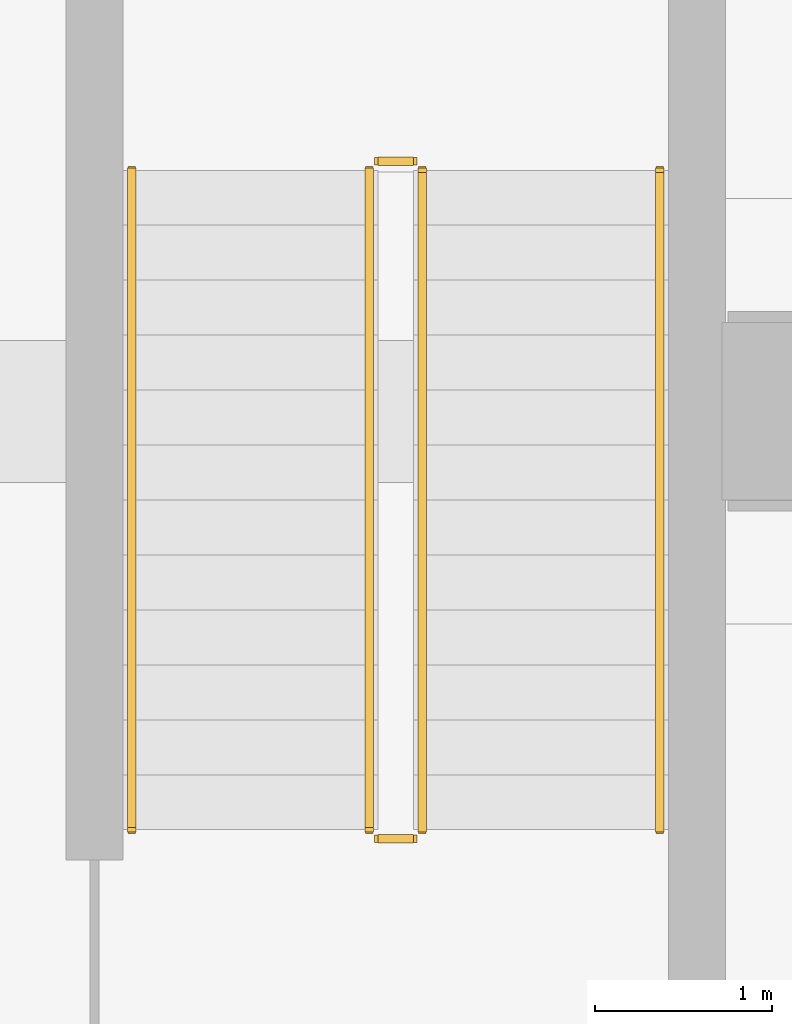
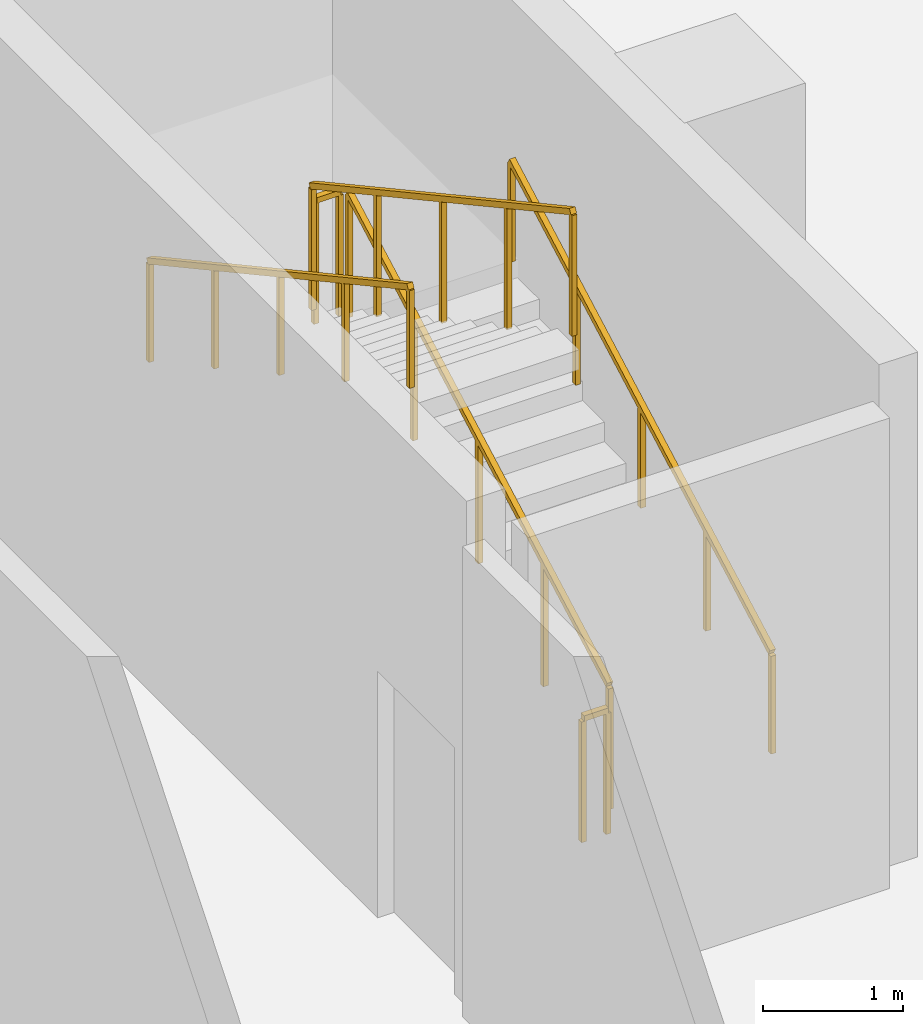
# One storey, part 12 of 13: 6 railings.
"""IFC4 building model written with IfcOpenShell, lengths in metres."""

from ifc_helpers import new_model, si_unit, direction, frame, origin, origin_2d, place, context, subcontext, project, spatial, rectangle, extrude, material, type_object, element, save


model = new_model("IFC4")

# Units and contexts
model_context = context("Model", 3, precision=1e-05, world=origin(), true_north=direction((0.0, 1.0)))
body_context = subcontext(model_context, "Body", "Model", "MODEL_VIEW")
ifc_project = project(units=[si_unit("LENGTHUNIT", "METRE"), si_unit("AREAUNIT", "SQUARE_METRE"), si_unit("VOLUMEUNIT", "CUBIC_METRE"), si_unit("PLANEANGLEUNIT", "RADIAN"), si_unit("MASSUNIT", "GRAM", prefix="KILO")], contexts=[model_context])

# Site, building, storey
site_placement = place(None, origin())
site = spatial("IfcSite", under=ifc_project, at=site_placement, CompositionType="ELEMENT")
building_placement = place(site_placement, origin())
building = spatial("IfcBuilding", under=site, at=building_placement, Name="Solanera Arch Residences", CompositionType="ELEMENT")
storey_placement = place(building_placement, frame((0.0, 0.0, -13.199951171875)))
storey = spatial("IfcBuildingStorey", under=building, at=storey_placement, Name="B03", CompositionType="ELEMENT", Elevation=-13.199951171875)

# Railings
ifc_material_1 = material(Name="Steel S355 (ASTM A992 / A572 Grade 50)", Category="steel")
railing_type_1 = type_object("IfcRailingType", Name="Stair Guardrail GR-1100", PredefinedType="GUARDRAIL", material=ifc_material_1)
railing_1_placement = place(storey_placement, frame((72.409912109375, 28.239990234375, 0.154052734375)))
element("IfcRailing", 1, at=railing_1_placement, inside=storey, type_object=railing_type_1, Name="B03 ST-B1 stair guard 1", PredefinedType="GUARDRAIL", context=body_context, shape_type="SweptSolid", body=[
    extrude(rectangle(XDim=0.048095703125, YDim=0.048095703125, at=origin_2d()), frame((0.0, 0.0, 1.076171875), z_axis=(0.0, 0.877703980351, 0.479203216679), x_axis=(-1.0, 0.0, 0.0)), (0.0, 0.0, 1.0), 4.23828125),
    extrude(rectangle(XDim=0.0419921875, YDim=0.0419921875, at=origin_2d()), origin(), (0.0, 0.0, 1.0), 1.052001953125),
    extrude(rectangle(XDim=0.0419921875, YDim=0.0419921875, at=origin_2d()), frame((0.0, 0.929931640625, 0.5078125)), (0.0, 0.0, 1.0), 1.052001953125),
    extrude(rectangle(XDim=0.0419921875, YDim=0.0419921875, at=origin_2d()), frame((0.0, 1.85986328125, 1.015625)), (0.0, 0.0, 1.0), 1.052001953125),
    extrude(rectangle(XDim=0.0419921875, YDim=0.0419921875, at=origin_2d()), frame((0.0, 2.7900390625, 1.523193359375)), (0.0, 0.0, 1.0), 1.052001953125),
    extrude(rectangle(XDim=0.0419921875, YDim=0.0419921875, at=origin_2d()), frame((0.0, 3.719970703125, 2.031005859375)), (0.0, 0.0, 1.0), 1.052001953125),
])
railing_2_placement = place(storey_placement, frame((72.360107421875, 32.010009765625, 2.18505859375)))
element("IfcRailing", 2, at=railing_2_placement, inside=storey, type_object=railing_type_1, Name="B03 ST-B1 stair guard 2", PredefinedType="GUARDRAIL", context=body_context, shape_type="SweptSolid", body=[
    extrude(rectangle(XDim=0.048095703125, YDim=0.048095703125, at=origin_2d()), frame((0.0, 0.0, 1.076171875), z_axis=(-1.0, 0.0, 0.0), x_axis=(0.0, -1.0, 0.0)), (0.0, 0.0, 1.0), 0.2001953125),
    extrude(rectangle(XDim=0.0419921875, YDim=0.0419921875, at=origin_2d()), origin(), (0.0, 0.0, 1.0), 1.052001953125),
    extrude(rectangle(XDim=0.0419921875, YDim=0.0419921875, at=origin_2d()), frame((-0.2001953125, 0.0, 0.0)), (0.0, 0.0, 1.0), 1.052001953125),
])
railing_3_placement = place(storey_placement, frame((72.110107421875, 31.9599609375, 2.354248046875)))
element("IfcRailing", 3, at=railing_3_placement, inside=storey, type_object=railing_type_1, Name="B03 ST-B1 stair guard 3", PredefinedType="GUARDRAIL", context=body_context, shape_type="SweptSolid", body=[
    extrude(rectangle(XDim=0.048095703125, YDim=0.048095703125, at=origin_2d()), frame((0.0, 0.0, 1.076171875), z_axis=(0.0, -0.877728207833, 0.479158839191), x_axis=(1.0, 0.0, 0.0)), (0.0, 0.0, 1.0), 4.23828125),
    extrude(rectangle(XDim=0.0419921875, YDim=0.0419921875, at=origin_2d()), origin(), (0.0, 0.0, 1.0), 1.052001953125),
    extrude(rectangle(XDim=0.0419921875, YDim=0.0419921875, at=origin_2d()), frame((0.0, -0.929931640625, 0.5078125)), (0.0, 0.0, 1.0), 1.052001953125),
    extrude(rectangle(XDim=0.0419921875, YDim=0.0419921875, at=origin_2d()), frame((0.0, -1.85986328125, 1.015380859375)), (0.0, 0.0, 1.0), 1.052001953125),
    extrude(rectangle(XDim=0.0419921875, YDim=0.0419921875, at=origin_2d()), frame((0.0, -2.7900390625, 1.52294921875)), (0.0, 0.0, 1.0), 1.052001953125),
    extrude(rectangle(XDim=0.0419921875, YDim=0.0419921875, at=origin_2d()), frame((0.0, -3.719970703125, 2.03076171875)), (0.0, 0.0, 1.0), 1.052001953125),
])
railing_4_placement = place(storey_placement, frame((72.360107421875, 28.18994140625, -0.01513671875)))
element("IfcRailing", 4, at=railing_4_placement, inside=storey, type_object=railing_type_1, Name="B03 ST-B1 stair guard 4", PredefinedType="GUARDRAIL", context=body_context, shape_type="SweptSolid", body=[
    extrude(rectangle(XDim=0.048095703125, YDim=0.048095703125, at=origin_2d()), frame((0.0, 0.0, 1.076171875), z_axis=(-1.0, 0.0, 0.0), x_axis=(0.0, -1.0, 0.0)), (0.0, 0.0, 1.0), 0.2001953125),
    extrude(rectangle(XDim=0.0419921875, YDim=0.0419921875, at=origin_2d()), origin(), (0.0, 0.0, 1.0), 1.052001953125),
    extrude(rectangle(XDim=0.0419921875, YDim=0.0419921875, at=origin_2d()), frame((-0.2001953125, 0.0, 0.0)), (0.0, 0.0, 1.0), 1.052001953125),
])
ifc_material_2 = material(Name="Steel S355 (ASTM A992 / A572 Grade 50)", Category="steel")
railing_type_2 = type_object("IfcRailingType", Name="Stair Wall Handrail HR-920", PredefinedType="HANDRAIL", material=ifc_material_2)
railing_5_placement = place(storey_placement, frame((73.75, 28.239990234375, 0.169189453125)))
element("IfcRailing", 5, at=railing_5_placement, inside=storey, type_object=railing_type_2, Name="B03 ST-B1 stair handrail 1", PredefinedType="HANDRAIL", context=body_context, shape_type="SweptSolid", body=[
    extrude(rectangle(XDim=0.048095703125, YDim=0.048095703125, at=origin_2d()), frame((0.0, 0.0, 0.8759765625), z_axis=(0.0, 0.877728207833, 0.479158839191), x_axis=(-1.0, 0.0, 0.0)), (0.0, 0.0, 1.0), 4.23828125),
    extrude(rectangle(XDim=0.0419921875, YDim=0.0419921875, at=origin_2d()), origin(), (0.0, 0.0, 1.0), 0.851806640625),
    extrude(rectangle(XDim=0.0419921875, YDim=0.0419921875, at=origin_2d()), frame((0.0, 0.929931640625, 0.5078125)), (0.0, 0.0, 1.0), 0.851806640625),
    extrude(rectangle(XDim=0.0419921875, YDim=0.0419921875, at=origin_2d()), frame((0.0, 1.85986328125, 1.015380859375)), (0.0, 0.0, 1.0), 0.851806640625),
    extrude(rectangle(XDim=0.0419921875, YDim=0.0419921875, at=origin_2d()), frame((0.0, 2.7900390625, 1.52294921875)), (0.0, 0.0, 1.0), 0.851806640625),
    extrude(rectangle(XDim=0.0419921875, YDim=0.0419921875, at=origin_2d()), frame((0.0, 3.719970703125, 2.03076171875)), (0.0, 0.0, 1.0), 0.851806640625),
])
railing_6_placement = place(storey_placement, frame((70.77001953125, 31.9599609375, 2.369140625)))
element("IfcRailing", 6, at=railing_6_placement, inside=storey, type_object=railing_type_2, Name="B03 ST-B1 stair handrail 2", PredefinedType="HANDRAIL", context=body_context, shape_type="SweptSolid", body=[
    extrude(rectangle(XDim=0.048095703125, YDim=0.048095703125, at=origin_2d()), frame((0.0, 0.0, 0.8759765625), z_axis=(0.0, -0.877728207833, 0.479158839191), x_axis=(1.0, 0.0, 0.0)), (0.0, 0.0, 1.0), 4.23828125),
    extrude(rectangle(XDim=0.0419921875, YDim=0.0419921875, at=origin_2d()), origin(), (0.0, 0.0, 1.0), 0.851806640625),
    extrude(rectangle(XDim=0.0419921875, YDim=0.0419921875, at=origin_2d()), frame((0.0, -0.929931640625, 0.5078125)), (0.0, 0.0, 1.0), 0.851806640625),
    extrude(rectangle(XDim=0.0419921875, YDim=0.0419921875, at=origin_2d()), frame((0.0, -1.85986328125, 1.015380859375)), (0.0, 0.0, 1.0), 0.851806640625),
    extrude(rectangle(XDim=0.0419921875, YDim=0.0419921875, at=origin_2d()), frame((0.0, -2.7900390625, 1.52294921875)), (0.0, 0.0, 1.0), 0.851806640625),
    extrude(rectangle(XDim=0.0419921875, YDim=0.0419921875, at=origin_2d()), frame((0.0, -3.719970703125, 2.03076171875)), (0.0, 0.0, 1.0), 0.851806640625),
])

save(model, "model.ifc")
